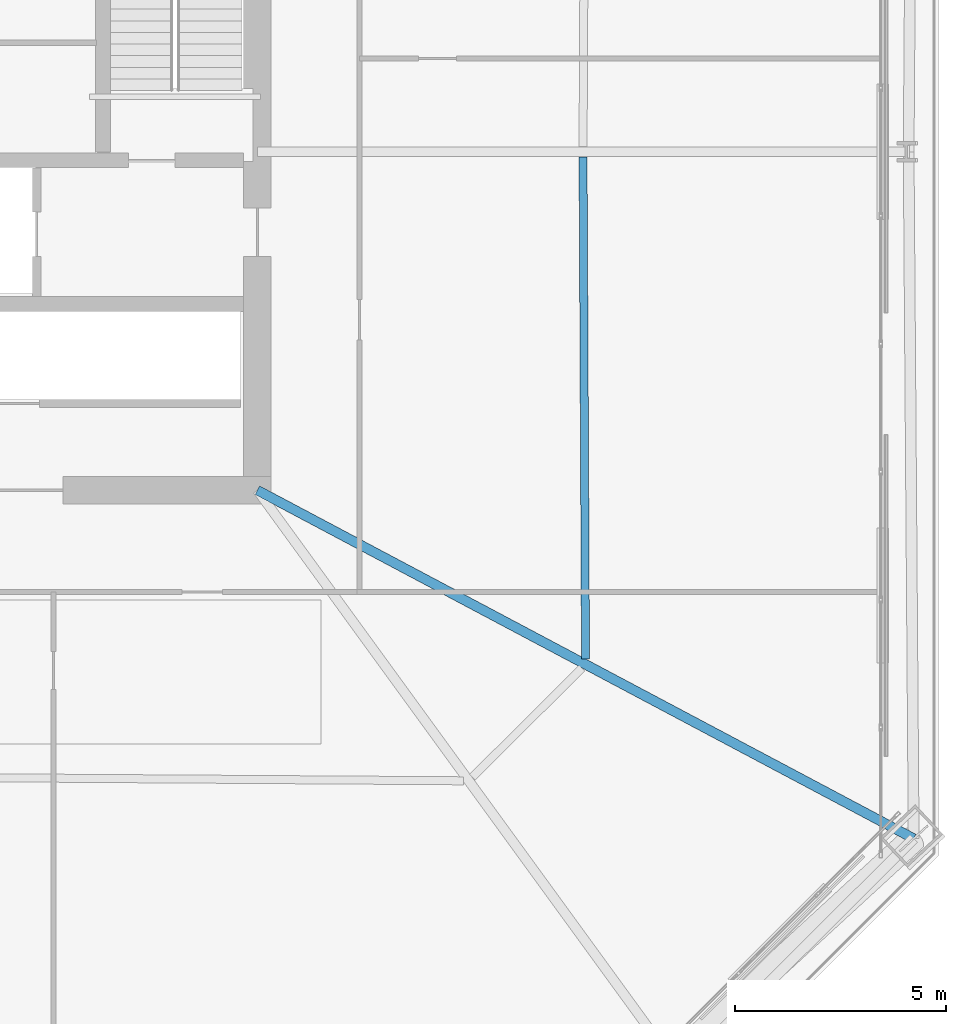
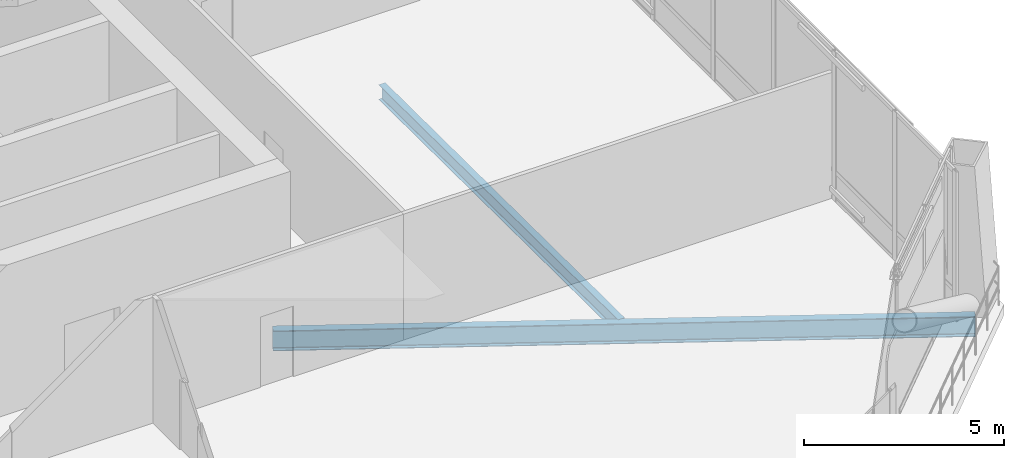
# One storey, part 21 of 48: 2 beams.
"""IFC4 building model written with IfcOpenShell, lengths in metres."""

from ifc_helpers import new_model, si_unit, direction, frame, origin, origin_2d, place, context, subcontext, project, spatial, i_section, extrude, material, material_profile, profile_set, type_object, element, save


model = new_model("IFC4")

# Units and contexts
model_context = context("Model", 3, precision=1e-05, world=origin(), true_north=direction((0.0, 1.0)))
body_context = subcontext(model_context, "Body", "Model", "MODEL_VIEW")
ifc_project = project(units=[si_unit("LENGTHUNIT", "METRE"), si_unit("AREAUNIT", "SQUARE_METRE"), si_unit("VOLUMEUNIT", "CUBIC_METRE"), si_unit("PLANEANGLEUNIT", "RADIAN"), si_unit("MASSUNIT", "GRAM", prefix="KILO")], contexts=[model_context])

# Site, building, storey
site_placement = place(None, origin())
site = spatial("IfcSite", under=ifc_project, at=site_placement, CompositionType="ELEMENT")
building_placement = place(site_placement, origin())
building = spatial("IfcBuilding", under=site, at=building_placement, Name="Caelvoria Tower", CompositionType="ELEMENT")
storey_placement = place(building_placement, frame((0.0, 0.0, 90.39990234375)))
storey = spatial("IfcBuildingStorey", under=building, at=storey_placement, Name="L23", CompositionType="ELEMENT", Elevation=90.39990234375)

# Beams
ifc_material = material(Name="Structural Steel ASTM A992 Gr.50", Category="steel")
ifc_material_profile_1 = material_profile(ifc_material, i_section(OverallWidth=0.22900390625, OverallDepth=0.612060546875, WebThickness=0.011962890625, FlangeThickness=0.01953125, FilletRadius=0.01806640625, at=origin_2d()), Name="Structural Steel ASTM A992 Gr.50")
ifc_profile_set_1 = profile_set([ifc_material_profile_1], Name="W610X125 - Structural Steel ASTM A992 Gr.50")
beam_type_1 = type_object("IfcBeamType", Name="Primary Radial Floor Girder W610X125", PredefinedType="BEAM", material=ifc_profile_set_1)
beam_1_placement = place(storey_placement, frame((55.0, 24.0, -0.6259765625), z_axis=(0.883286067576, -0.468834430078, 0.0), x_axis=(0.468834430078, 0.883286067576, 0.0)))
element("IfcBeam", 1, at=beam_1_placement, inside=storey, type_object=beam_type_1, Name="Primary Floor Girder L23-03", PredefinedType="BEAM", context=body_context, shape_type="SweptSolid", body=[
    extrude(i_section(OverallWidth=0.22900390625, OverallDepth=0.612060546875, WebThickness=0.011962890625, FlangeThickness=0.01953125, FilletRadius=0.01806640625, at=origin_2d()), origin(), (0.0, 0.0, 1.0), 17.566650390625),
])
ifc_material_profile_2 = material_profile(ifc_material, i_section(OverallWidth=0.18994140625, OverallDepth=0.45703125, WebThickness=0.009033203125, FlangeThickness=0.014404296875, FilletRadius=0.014892578125, at=origin_2d()), Name="Structural Steel ASTM A992 Gr.50")
ifc_profile_set_2 = profile_set([ifc_material_profile_2], Name="W460X74 - Structural Steel ASTM A992 Gr.50")
beam_type_2 = type_object("IfcBeamType", Name="Secondary Floor Beam W460X74", PredefinedType="BEAM", material=ifc_profile_set_2)
beam_2_placement = place(storey_placement, frame((62.757568359375, 20.007080078125, -0.54833984375), z_axis=(-0.00493709397, 0.999987812477, 0.0), x_axis=(-0.999987812477, -0.00493709397, 0.0)))
element("IfcBeam", 2, at=beam_2_placement, inside=storey, type_object=beam_type_2, Name="Secondary Floor Beam L23-03", PredefinedType="BEAM", context=body_context, shape_type="SweptSolid", body=[
    extrude(i_section(OverallWidth=0.18994140625, OverallDepth=0.45703125, WebThickness=0.009033203125, FlangeThickness=0.014404296875, FilletRadius=0.014892578125, at=origin_2d()), origin(), (0.0, 0.0, 1.0), 11.8681640625),
])

save(model, "model.ifc")
